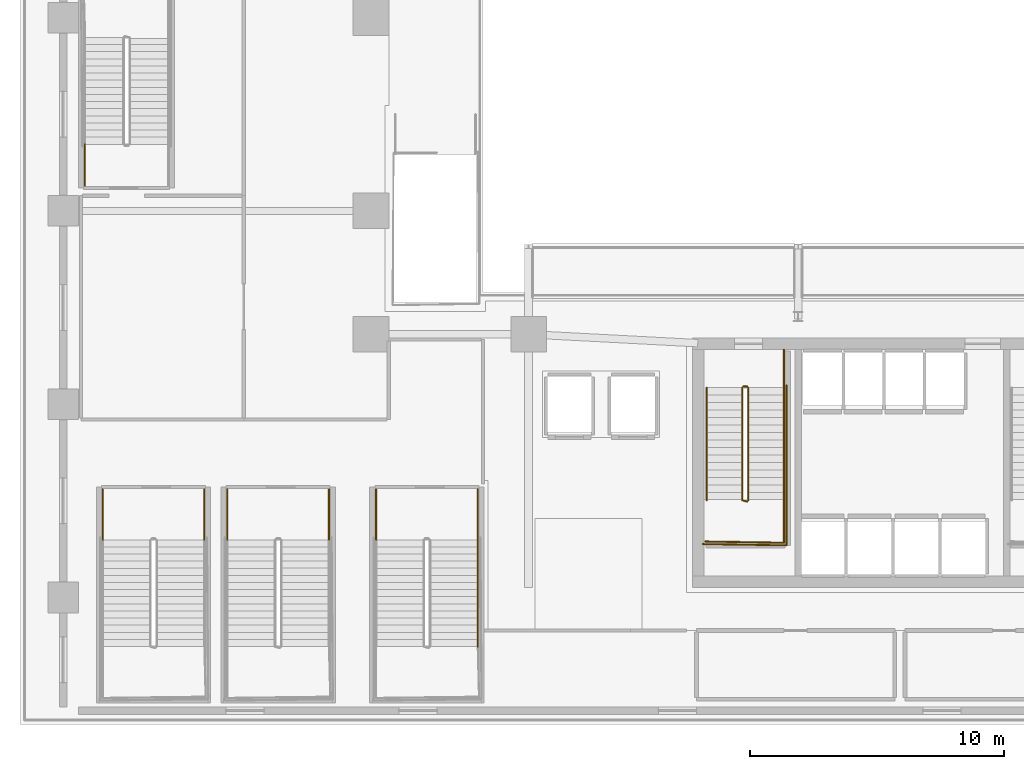
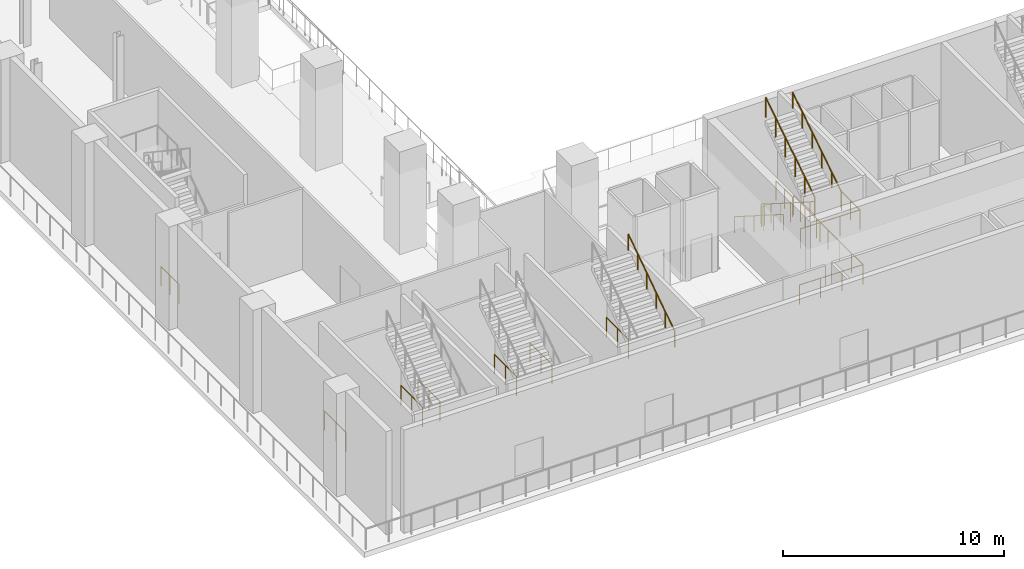
# One storey, part 15 of 28: 16 railings.
"""IFC4 building model written with IfcOpenShell, lengths in metres."""

from ifc_helpers import new_model, si_unit, direction, frame, origin, origin_2d, place, context, subcontext, project, spatial, circle, extrude, material, layer, layer_set, type_object, element, save


model = new_model("IFC4")

# Units and contexts
model_context = context("Model", 3, precision=1e-05, world=origin(), true_north=direction((0.0, 1.0)))
body_context = subcontext(model_context, "Body", "Model", "MODEL_VIEW")
ifc_project = project(units=[si_unit("LENGTHUNIT", "METRE"), si_unit("AREAUNIT", "SQUARE_METRE"), si_unit("VOLUMEUNIT", "CUBIC_METRE"), si_unit("PLANEANGLEUNIT", "RADIAN"), si_unit("MASSUNIT", "GRAM", prefix="KILO")], contexts=[model_context])

# Site, building, storey
site_placement = place(None, origin())
site = spatial("IfcSite", under=ifc_project, at=site_placement, CompositionType="ELEMENT")
building_placement = place(site_placement, origin())
building = spatial("IfcBuilding", under=site, at=building_placement, Name="Ndaravel Arena Tower", CompositionType="ELEMENT")
storey_placement = place(building_placement, frame((0.0, 0.0, 18.0)))
storey = spatial("IfcBuildingStorey", under=building, at=storey_placement, Name="L03", CompositionType="ELEMENT", Elevation=18.0)

# Railings
ifc_material_1 = material(Name="Steel S355", Category="steel")
ifc_layer_1 = layer(ifc_material_1, 0.06005859375)
ifc_layer_set_1 = layer_set([ifc_layer_1], Name="Steel S355")
railing_type_1 = type_object("IfcRailingType", Name="RAIL-STAIR-GD1100", PredefinedType="GUARDRAIL", material=ifc_layer_set_1)
railing_1_placement = place(storey_placement, frame((28.39990234375, 13.25, 0.1875)))
element("IfcRailing", 1, at=railing_1_placement, inside=storey, type_object=railing_type_1, Name="L03 ST-1 stair guard 1", PredefinedType="GUARDRAIL", context=body_context, shape_type="SweptSolid", body=[
    extrude(circle(Radius=0.02392578125, at=origin_2d()), frame((0.0, 0.0, 1.076171875), z_axis=(0.0, -0.843958541447, 0.536408408136), x_axis=(1.0, 0.0, 0.0)), (0.0, 0.0, 1.0), 5.2431640625),
    extrude(circle(Radius=0.02392578125, at=origin_2d()), frame((0.0, -4.425048828125, 3.888671875), z_axis=(0.967074537263, -0.25449329928, 0.0), x_axis=(0.25449329928, 0.967074537263, 0.0)), (0.0, 0.0, 1.0), 0.19677734375),
    extrude(circle(Radius=0.02099609375, at=origin_2d()), origin(), (0.0, 0.0, 1.0), 1.052001953125),
    extrude(circle(Radius=0.02099609375, at=origin_2d()), frame((0.0, -0.885009765625, 0.5625)), (0.0, 0.0, 1.0), 1.052001953125),
    extrude(circle(Radius=0.02099609375, at=origin_2d()), frame((0.0, -1.77001953125, 1.125)), (0.0, 0.0, 1.0), 1.052001953125),
    extrude(circle(Radius=0.02099609375, at=origin_2d()), frame((0.0, -2.655029296875, 1.6875)), (0.0, 0.0, 1.0), 1.052001953125),
    extrude(circle(Radius=0.02099609375, at=origin_2d()), frame((0.0, -3.5400390625, 2.25)), (0.0, 0.0, 1.0), 1.052001953125),
    extrude(circle(Radius=0.02099609375, at=origin_2d()), frame((0.0, -4.425048828125, 2.8125)), (0.0, 0.0, 1.0), 1.052001953125),
    extrude(circle(Radius=0.02099609375, at=origin_2d()), frame((0.190185546875, -4.47509765625, 2.8125)), (0.0, 0.0, 1.0), 1.052001953125),
])
railing_2_placement = place(storey_placement, frame((30.0400390625, 8.824951171875, 3.0)))
element("IfcRailing", 2, at=railing_2_placement, inside=storey, type_object=railing_type_1, Name="L03 ST-1 stair guard 2", PredefinedType="GUARDRAIL", context=body_context, shape_type="SweptSolid", body=[
    extrude(circle(Radius=0.02392578125, at=origin_2d()), frame((0.0, 0.0, 1.076171875), z_axis=(0.0, -1.0, 0.0), x_axis=(1.0, 0.0, 0.0)), (0.0, 0.0, 1.0), 1.675048828125),
    extrude(circle(Radius=0.02392578125, at=origin_2d()), frame((0.0, -1.675048828125, 1.076171875), z_axis=(-0.999868861343, 0.016194447071, 0.0), x_axis=(-0.016194447071, -0.999868861343, 0.0)), (0.0, 0.0, 1.0), 3.090576171875),
    extrude(circle(Radius=0.02099609375, at=origin_2d()), origin(), (0.0, 0.0, 1.0), 1.052001953125),
    extrude(circle(Radius=0.02099609375, at=origin_2d()), frame((0.0, -0.83740234375, 0.0)), (0.0, 0.0, 1.0), 1.052001953125),
    extrude(circle(Radius=0.02099609375, at=origin_2d()), frame((0.0, -1.675048828125, 0.0)), (0.0, 0.0, 1.0), 1.052001953125),
    extrude(circle(Radius=0.02099609375, at=origin_2d()), frame((-1.030029296875, -1.658447265625, 0.0)), (0.0, 0.0, 1.0), 1.052001953125),
    extrude(circle(Radius=0.02099609375, at=origin_2d()), frame((-2.06005859375, -1.6416015625, 0.0)), (0.0, 0.0, 1.0), 1.052001953125),
    extrude(circle(Radius=0.02099609375, at=origin_2d()), frame((-3.090087890625, -1.625, 0.0)), (0.0, 0.0, 1.0), 1.052001953125),
])
railing_3_placement = place(storey_placement, frame((28.639892578125, 8.824951171875, 3.1875)))
element("IfcRailing", 3, at=railing_3_placement, inside=storey, type_object=railing_type_1, Name="L03 ST-1 stair guard 3", PredefinedType="GUARDRAIL", context=body_context, shape_type="SweptSolid", body=[
    extrude(circle(Radius=0.02392578125, at=origin_2d()), frame((0.0, 0.0, 1.076171875), z_axis=(0.0, 0.843958541447, 0.536408408136), x_axis=(-1.0, 0.0, 0.0)), (0.0, 0.0, 1.0), 5.2431640625),
    extrude(circle(Radius=0.02099609375, at=origin_2d()), origin(), (0.0, 0.0, 1.0), 1.052001953125),
    extrude(circle(Radius=0.02099609375, at=origin_2d()), frame((0.0, 0.885009765625, 0.5625)), (0.0, 0.0, 1.0), 1.052001953125),
    extrude(circle(Radius=0.02099609375, at=origin_2d()), frame((0.0, 1.77001953125, 1.125)), (0.0, 0.0, 1.0), 1.052001953125),
    extrude(circle(Radius=0.02099609375, at=origin_2d()), frame((0.0, 2.655029296875, 1.6875)), (0.0, 0.0, 1.0), 1.052001953125),
    extrude(circle(Radius=0.02099609375, at=origin_2d()), frame((0.0, 3.5400390625, 2.25)), (0.0, 0.0, 1.0), 1.052001953125),
    extrude(circle(Radius=0.02099609375, at=origin_2d()), frame((0.0, 4.425048828125, 2.8125)), (0.0, 0.0, 1.0), 1.052001953125),
])
railing_4_placement = place(storey_placement, frame((28.449951171875, 13.300048828125, 0.0)))
element("IfcRailing", 4, at=railing_4_placement, inside=storey, type_object=railing_type_1, Name="L03 ST-1 stair guard 4", PredefinedType="GUARDRAIL", context=body_context, shape_type="SweptSolid", body=[
    extrude(circle(Radius=0.02392578125, at=origin_2d()), frame((0.0, 0.0, 1.076171875), z_axis=(1.0, 0.0, 0.0), x_axis=(0.0, 1.0, 0.0)), (0.0, 0.0, 1.0), 0.14013671875),
    extrude(circle(Radius=0.02099609375, at=origin_2d()), origin(), (0.0, 0.0, 1.0), 1.052001953125),
    extrude(circle(Radius=0.02099609375, at=origin_2d()), frame((0.14013671875, 0.0, 0.0)), (0.0, 0.0, 1.0), 1.052001953125),
])
railing_5_placement = place(storey_placement, frame((30.0400390625, 14.75, 0.0)))
element("IfcRailing", 5, at=railing_5_placement, inside=storey, type_object=railing_type_1, Name="L03 ST-1 stair guard 5", PredefinedType="GUARDRAIL", context=body_context, shape_type="SweptSolid", body=[
    extrude(circle(Radius=0.02392578125, at=origin_2d()), frame((0.0, 0.0, 1.076171875), z_axis=(0.0, -1.0, 0.0), x_axis=(1.0, 0.0, 0.0)), (0.0, 0.0, 1.0), 1.5),
    extrude(circle(Radius=0.02099609375, at=origin_2d()), origin(), (0.0, 0.0, 1.0), 1.052001953125),
    extrude(circle(Radius=0.02099609375, at=origin_2d()), frame((0.0, -0.75, 0.0)), (0.0, 0.0, 1.0), 1.052001953125),
    extrude(circle(Radius=0.02099609375, at=origin_2d()), frame((0.0, -1.5, 0.0)), (0.0, 0.0, 1.0), 1.052001953125),
])
railing_6_placement = place(storey_placement, frame((30.139892578125, 13.35009765625, 0.0)))
element("IfcRailing", 6, at=railing_6_placement, inside=storey, type_object=railing_type_1, Name="L03 ST-1 stair guard 6", PredefinedType="GUARDRAIL", context=body_context, shape_type="SweptSolid", body=[
    extrude(circle(Radius=0.02392578125, at=origin_2d()), frame((0.0, 0.0, 1.076171875), z_axis=(0.0, -1.0, 0.0), x_axis=(1.0, 0.0, 0.0)), (0.0, 0.0, 1.0), 6.300048828125),
    extrude(circle(Radius=0.02392578125, at=origin_2d()), frame((0.0, -6.300048828125, 1.076171875), z_axis=(-0.999884296952, 0.015211597839, 0.0), x_axis=(-0.015211597839, -0.999884296952, 0.0)), (0.0, 0.0, 1.0), 3.290283203125),
    extrude(circle(Radius=0.02099609375, at=origin_2d()), origin(), (0.0, 0.0, 1.0), 1.052001953125),
    extrude(circle(Radius=0.02099609375, at=origin_2d()), frame((0.0, -1.050048828125, 0.0)), (0.0, 0.0, 1.0), 1.052001953125),
    extrude(circle(Radius=0.02099609375, at=origin_2d()), frame((0.0, -2.10009765625, 0.0)), (0.0, 0.0, 1.0), 1.052001953125),
    extrude(circle(Radius=0.02099609375, at=origin_2d()), frame((0.0, -3.14990234375, 0.0)), (0.0, 0.0, 1.0), 1.052001953125),
    extrude(circle(Radius=0.02099609375, at=origin_2d()), frame((0.0, -4.199951171875, 0.0)), (0.0, 0.0, 1.0), 1.052001953125),
    extrude(circle(Radius=0.02099609375, at=origin_2d()), frame((0.0, -5.25, 0.0)), (0.0, 0.0, 1.0), 1.052001953125),
    extrude(circle(Radius=0.02099609375, at=origin_2d()), frame((0.0, -6.300048828125, 0.0)), (0.0, 0.0, 1.0), 1.052001953125),
    extrude(circle(Radius=0.02099609375, at=origin_2d()), frame((-1.0966796875, -6.283447265625, 0.0)), (0.0, 0.0, 1.0), 1.052001953125),
    extrude(circle(Radius=0.02099609375, at=origin_2d()), frame((-2.193115234375, -6.2666015625, 0.0)), (0.0, 0.0, 1.0), 1.052001953125),
    extrude(circle(Radius=0.02099609375, at=origin_2d()), frame((-3.289794921875, -6.25, 0.0)), (0.0, 0.0, 1.0), 1.052001953125),
])
for number, where, name in (
    (7, (3.25, 9.25, 0.0), "L03 ST-A01 stair guard 5"),
    (8, (7.25, 9.25, 0.0), "L03 ST-A01 stair guard 6"),
    (9, (8.14990234375, 9.25, 0.0), "L03 ST-A02 stair guard 5"),
    (10, (12.14990234375, 9.25, 0.0), "L03 ST-A02 stair guard 6"),
    (11, (14.0, 9.25, 0.0), "L03 ST-A03 stair guard 5"),
    (12, (18.0, 9.25, 0.0), "L03 ST-A03 stair guard 6"),
):
    element("IfcRailing", number, at=place(storey_placement, frame(where)), inside=storey, type_object=railing_type_1, Name=name, PredefinedType="GUARDRAIL", context=body_context, shape_type="SweptSolid", body=[
        extrude(circle(Radius=0.02392578125, at=origin_2d()), frame((0.0, 0.0, 1.076171875), z_axis=(0.0, -1.0, 0.0), x_axis=(1.0, 0.0, 0.0)), (0.0, 0.0, 1.0), 1.97998046875),
        extrude(circle(Radius=0.02099609375, at=origin_2d()), origin(), (0.0, 0.0, 1.0), 1.052001953125),
        extrude(circle(Radius=0.02099609375, at=origin_2d()), frame((0.0, -0.989990234375, 0.0)), (0.0, 0.0, 1.0), 1.052001953125),
        extrude(circle(Radius=0.02099609375, at=origin_2d()), frame((0.0, -1.97998046875, 0.0)), (0.0, 0.0, 1.0), 1.052001953125),
    ])
railing_7_placement = place(storey_placement, frame((2.550048828125, 21.199951171875, 0.0)))
element("IfcRailing", 13, at=railing_7_placement, inside=storey, type_object=railing_type_1, Name="L03 ST-A07 stair guard 6", PredefinedType="GUARDRAIL", context=body_context, shape_type="SweptSolid", body=[
    extrude(circle(Radius=0.02392578125, at=origin_2d()), frame((0.0, 0.0, 1.076171875), z_axis=(0.0, 1.0, 0.0), x_axis=(-1.0, 0.0, 0.0)), (0.0, 0.0, 1.0), 1.6201171875),
    extrude(circle(Radius=0.02099609375, at=origin_2d()), origin(), (0.0, 0.0, 1.0), 1.052001953125),
    extrude(circle(Radius=0.02099609375, at=origin_2d()), frame((0.0, 0.81005859375, 0.0)), (0.0, 0.0, 1.0), 1.052001953125),
    extrude(circle(Radius=0.02099609375, at=origin_2d()), frame((0.0, 1.6201171875, 0.0)), (0.0, 0.0, 1.0), 1.052001953125),
])
ifc_material_2 = material(Name="Steel S355", Category="steel")
ifc_layer_2 = layer(ifc_material_2, 0.050048828125)
ifc_layer_set_2 = layer_set([ifc_layer_2], Name="Steel S355")
railing_type_2 = type_object("IfcRailingType", Name="RAIL-STAIR-HR920", PredefinedType="HANDRAIL", material=ifc_layer_set_2)
railing_8_placement = place(storey_placement, frame((27.0, 13.25, 0.1875)))
element("IfcRailing", 14, at=railing_8_placement, inside=storey, type_object=railing_type_2, Name="L03 ST-1 stair handrail 1", PredefinedType="HANDRAIL", context=body_context, shape_type="SweptSolid", body=[
    extrude(circle(Radius=0.02392578125, at=origin_2d()), frame((0.0, 0.0, 0.8759765625), z_axis=(0.0, -0.843958541447, 0.536408408136), x_axis=(1.0, 0.0, 0.0)), (0.0, 0.0, 1.0), 5.2431640625),
    extrude(circle(Radius=0.02099609375, at=origin_2d()), origin(), (0.0, 0.0, 1.0), 0.851806640625),
    extrude(circle(Radius=0.02099609375, at=origin_2d()), frame((0.0, -0.885009765625, 0.5625)), (0.0, 0.0, 1.0), 0.851806640625),
    extrude(circle(Radius=0.02099609375, at=origin_2d()), frame((0.0, -1.77001953125, 1.125)), (0.0, 0.0, 1.0), 0.851806640625),
    extrude(circle(Radius=0.02099609375, at=origin_2d()), frame((0.0, -2.655029296875, 1.6875)), (0.0, 0.0, 1.0), 0.851806640625),
    extrude(circle(Radius=0.02099609375, at=origin_2d()), frame((0.0, -3.5400390625, 2.25)), (0.0, 0.0, 1.0), 0.851806640625),
    extrude(circle(Radius=0.02099609375, at=origin_2d()), frame((0.0, -4.425048828125, 2.8125)), (0.0, 0.0, 1.0), 0.851806640625),
])
railing_9_placement = place(storey_placement, frame((30.0400390625, 8.824951171875, 3.1875)))
element("IfcRailing", 15, at=railing_9_placement, inside=storey, type_object=railing_type_2, Name="L03 ST-1 stair handrail 2", PredefinedType="HANDRAIL", context=body_context, shape_type="SweptSolid", body=[
    extrude(circle(Radius=0.02392578125, at=origin_2d()), frame((0.0, 0.0, 0.8759765625), z_axis=(0.0, 0.843958541447, 0.536408408136), x_axis=(-1.0, 0.0, 0.0)), (0.0, 0.0, 1.0), 5.2431640625),
    extrude(circle(Radius=0.02099609375, at=origin_2d()), origin(), (0.0, 0.0, 1.0), 0.851806640625),
    extrude(circle(Radius=0.02099609375, at=origin_2d()), frame((0.0, 0.885009765625, 0.5625)), (0.0, 0.0, 1.0), 0.851806640625),
    extrude(circle(Radius=0.02099609375, at=origin_2d()), frame((0.0, 1.77001953125, 1.125)), (0.0, 0.0, 1.0), 0.851806640625),
    extrude(circle(Radius=0.02099609375, at=origin_2d()), frame((0.0, 2.655029296875, 1.6875)), (0.0, 0.0, 1.0), 0.851806640625),
    extrude(circle(Radius=0.02099609375, at=origin_2d()), frame((0.0, 3.5400390625, 2.25)), (0.0, 0.0, 1.0), 0.851806640625),
    extrude(circle(Radius=0.02099609375, at=origin_2d()), frame((0.0, 4.425048828125, 2.8125)), (0.0, 0.0, 1.0), 0.851806640625),
])
railing_10_placement = place(storey_placement, frame((18.0, 3.070068359375, 3.1875)))
element("IfcRailing", 16, at=railing_10_placement, inside=storey, type_object=railing_type_2, Name="L03 ST-A03 stair handrail 2", PredefinedType="HANDRAIL", context=body_context, shape_type="SweptSolid", body=[
    extrude(circle(Radius=0.02392578125, at=origin_2d()), frame((0.0, 0.0, 0.8759765625), z_axis=(0.0, 0.830904186295, 0.556415522067), x_axis=(-1.0, 0.0, 0.0)), (0.0, 0.0, 1.0), 5.0546875),
    extrude(circle(Radius=0.02099609375, at=origin_2d()), origin(), (0.0, 0.0, 1.0), 0.851806640625),
    extrude(circle(Radius=0.02099609375, at=origin_2d()), frame((0.0, 0.840087890625, 0.5625)), (0.0, 0.0, 1.0), 0.851806640625),
    extrude(circle(Radius=0.02099609375, at=origin_2d()), frame((0.0, 1.679931640625, 1.125)), (0.0, 0.0, 1.0), 0.851806640625),
    extrude(circle(Radius=0.02099609375, at=origin_2d()), frame((0.0, 2.52001953125, 1.6875)), (0.0, 0.0, 1.0), 0.851806640625),
    extrude(circle(Radius=0.02099609375, at=origin_2d()), frame((0.0, 3.35986328125, 2.25)), (0.0, 0.0, 1.0), 0.851806640625),
    extrude(circle(Radius=0.02099609375, at=origin_2d()), frame((0.0, 4.199951171875, 2.8125)), (0.0, 0.0, 1.0), 0.851806640625),
])

save(model, "model.ifc")
